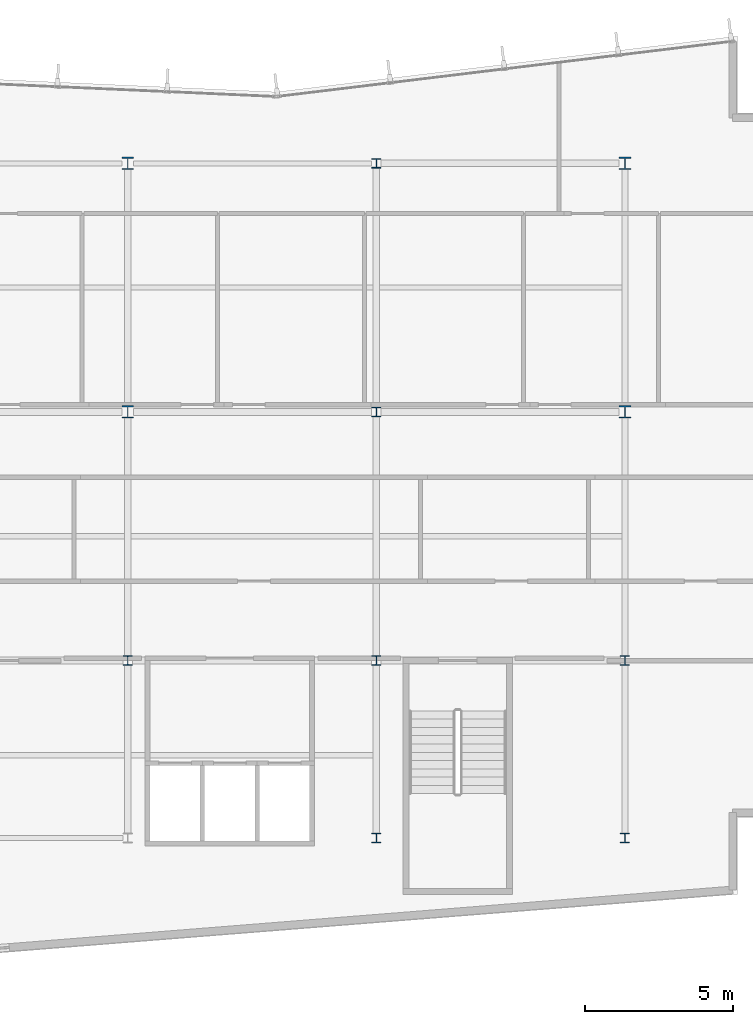
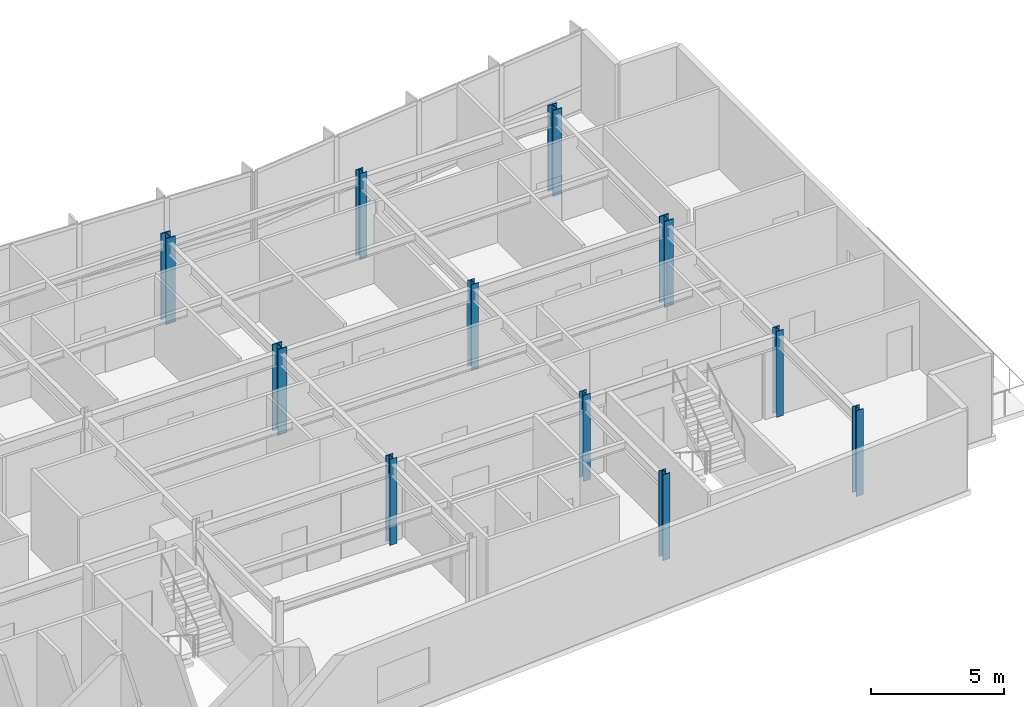
# One storey, part 2 of 17: 11 columns.
"""IFC4 building model written with IfcOpenShell, lengths in metres."""

from ifc_helpers import new_model, si_unit, direction, frame, origin, origin_2d, place, context, subcontext, project, spatial, i_section, extrude, material, material_profile, profile_set, type_object, element, save


model = new_model("IFC4")

# Units and contexts
model_context = context("Model", 3, precision=1e-05, world=origin(), true_north=direction((0.0, 1.0)))
body_context = subcontext(model_context, "Body", "Model", "MODEL_VIEW")
ifc_project = project(units=[si_unit("LENGTHUNIT", "METRE"), si_unit("AREAUNIT", "SQUARE_METRE"), si_unit("VOLUMEUNIT", "CUBIC_METRE"), si_unit("PLANEANGLEUNIT", "RADIAN"), si_unit("MASSUNIT", "GRAM", prefix="KILO")], contexts=[model_context])

# Site, building, storey
site_placement = place(None, origin())
site = spatial("IfcSite", under=ifc_project, at=site_placement, CompositionType="ELEMENT")
building_placement = place(site_placement, origin())
building = spatial("IfcBuilding", under=site, at=building_placement, Name="Varnakote Quay Hospital", CompositionType="ELEMENT")
storey_placement = place(building_placement, frame((0.0, 0.0, 111.25)))
storey = spatial("IfcBuildingStorey", under=building, at=storey_placement, Name="L27", CompositionType="ELEMENT", Elevation=111.25)

# Columns
ifc_material_1 = material(Name="Structural steel AS/NZS 3679.1 Grade 350 L0 (fy 340 MPa)", Category="steel")
ifc_material_profile_1 = material_profile(ifc_material_1, i_section(OverallWidth=0.30908203125, OverallDepth=0.321044921875, WebThickness=0.013916015625, FlangeThickness=0.021728515625, FilletRadius=0.0166015625, at=origin_2d()), Name="310UC137")
ifc_profile_set_1 = profile_set([ifc_material_profile_1], Name="Structural steel AS/NZS 3679.1 Grade 350 L0 (fy 340 MPa)")
column_type_1 = type_object("IfcColumnType", Name="COL-STL-310UC137", PredefinedType="COLUMN", material=ifc_profile_set_1)
for number, where, z_axis, x_axis, name in (
    (1, (42.0, 6.0, 0.0), (0.0, 0.0, 1.0), (1.0, 0.0, 0.0), "L27 Structural Column C-42-6"),
    (2, (50.39990234375, 6.0, 0.0), (0.0, 0.0, 1.0), (1.0, 0.0, 0.0), "L27 Structural Column C-50-6"),
    (3, (33.60009765625, 12.0, 0.0), (0.0, 0.0, 1.0), (1.0, 0.0, 0.0), "L27 Structural Column C-34-12"),
    (4, (42.0, 12.0, 0.0), (0.0, 0.0, 1.0), (1.0, 0.0, 0.0), "L27 Structural Column C-42-12"),
    (5, (50.39990234375, 12.0, 0.0), (0.0, 0.0, 1.0), (1.0, 0.0, 0.0), "L27 Structural Column C-50-12"),
    (6, (42.0, 20.39990234375, 0.0), (0.0, 0.0, 1.0), (1.0, 0.0, 0.0), "L27 Structural Column C-42-20"),
    (7, (42.0, 28.800048828125, 0.0), (0.0, 0.0, 1.0), (1.0, 0.0, 0.0), "L27 Structural Column C-42-29"),
):
    element("IfcColumn", number, at=place(storey_placement, frame(where, z_axis=z_axis, x_axis=x_axis)), inside=storey, type_object=column_type_1, Name=name, PredefinedType="COLUMN", context=body_context, shape_type="SweptSolid", body=[
        extrude(i_section(OverallWidth=0.30908203125, OverallDepth=0.321044921875, WebThickness=0.013916015625, FlangeThickness=0.021728515625, FilletRadius=0.0166015625, at=origin_2d()), origin(), (0.0, 0.0, 1.0), 3.949951171875),
    ])
ifc_material_2 = material(Name="Structural steel AS/NZS 3678 Grade 350 (fy 340 MPa)", Category="steel")
ifc_material_profile_2 = material_profile(ifc_material_2, i_section(OverallWidth=0.39990234375, OverallDepth=0.419921875, WebThickness=0.02490234375, FlangeThickness=0.0400390625, at=origin_2d()), Name="400WC328")
ifc_profile_set_2 = profile_set([ifc_material_profile_2], Name="Structural steel AS/NZS 3678 Grade 350 (fy 340 MPa)")
column_type_2 = type_object("IfcColumnType", Name="COL-STL-400WC328", PredefinedType="COLUMN", material=ifc_profile_set_2)
for number, where, z_axis, x_axis, name in (
    (8, (33.60009765625, 20.39990234375, 0.0), (0.0, 0.0, 1.0), (1.0, 0.0, 0.0), "L27 Structural Column C-34-20"),
    (9, (50.39990234375, 20.39990234375, 0.0), (0.0, 0.0, 1.0), (1.0, 0.0, 0.0), "L27 Structural Column C-50-20"),
    (10, (33.60009765625, 28.800048828125, 0.0), (0.0, 0.0, 1.0), (1.0, 0.0, 0.0), "L27 Structural Column C-34-29"),
    (11, (50.39990234375, 28.800048828125, 0.0), (0.0, 0.0, 1.0), (1.0, 0.0, 0.0), "L27 Structural Column C-50-29"),
):
    element("IfcColumn", number, at=place(storey_placement, frame(where, z_axis=z_axis, x_axis=x_axis)), inside=storey, type_object=column_type_2, Name=name, PredefinedType="COLUMN", context=body_context, shape_type="SweptSolid", body=[
        extrude(i_section(OverallWidth=0.39990234375, OverallDepth=0.419921875, WebThickness=0.02490234375, FlangeThickness=0.0400390625, at=origin_2d()), origin(), (0.0, 0.0, 1.0), 3.949951171875),
    ])

save(model, "model.ifc")
